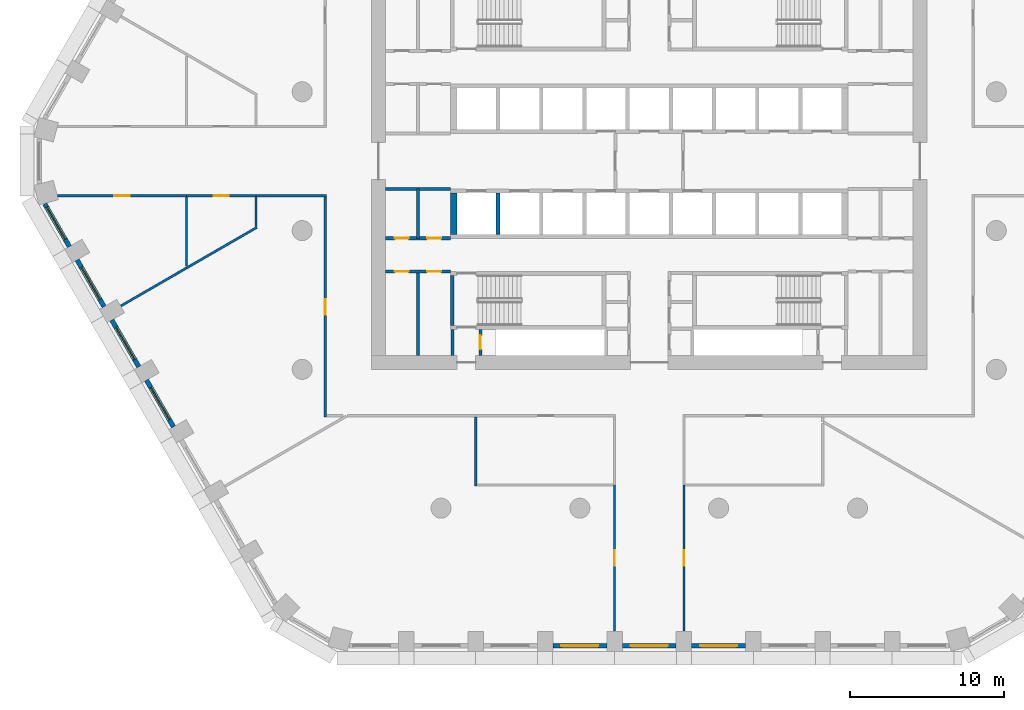
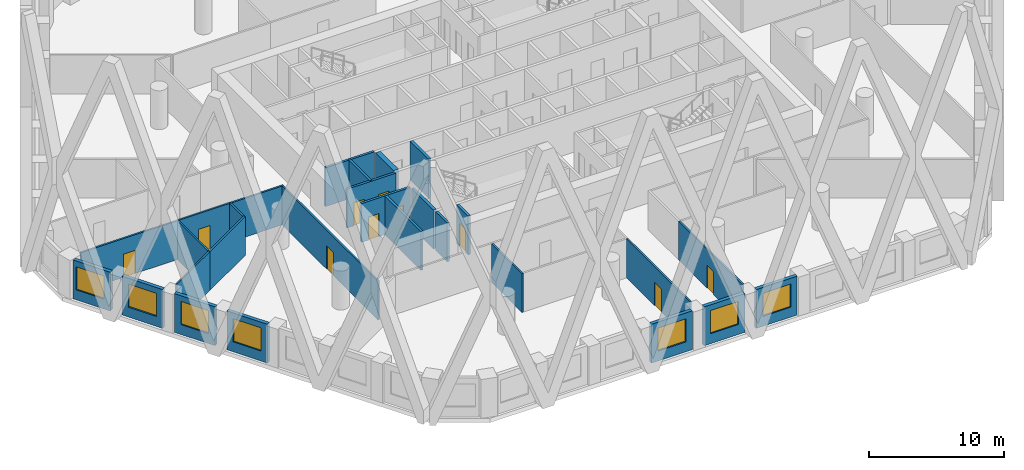
# One storey, part 2 of 18: 28 walls, 10 doors, 7 windows, 17 openings.
"""IFC4 building model written with IfcOpenShell, lengths in metres."""

from ifc_helpers import new_model, si_unit, direction, frame, frame_2d, origin, place, context, subcontext, project, spatial, polyline, rectangle, outline, extrude, material, layer, layer_set, type_object, element, fill, save


model = new_model("IFC4")

# Units and contexts
model_context = context("Model", 3, precision=1e-05, world=origin(), true_north=direction((0.0, 1.0)))
body_context = subcontext(model_context, "Body", "Model", "MODEL_VIEW")
ifc_project = project(units=[si_unit("LENGTHUNIT", "METRE"), si_unit("AREAUNIT", "SQUARE_METRE"), si_unit("VOLUMEUNIT", "CUBIC_METRE"), si_unit("PLANEANGLEUNIT", "RADIAN"), si_unit("MASSUNIT", "GRAM", prefix="KILO")], contexts=[model_context])

# Site, building, storey
site_placement = place(None, origin())
site = spatial("IfcSite", under=ifc_project, at=site_placement, CompositionType="ELEMENT")
building_placement = place(site_placement, origin())
building = spatial("IfcBuilding", under=site, at=building_placement, Name="Dhurran Vertical Campus", CompositionType="ELEMENT")
storey_placement = place(building_placement, frame((0.0, 0.0, 104.699951171875)))
storey = spatial("IfcBuildingStorey", under=building, at=storey_placement, Name="L25", CompositionType="ELEMENT", Elevation=104.699951171875)

# Wall, opening, window
ifc_material_1 = material(Name="Precast concrete C50/60", Category="concrete")
ifc_layer_1 = layer(ifc_material_1, 0.300048828125)
ifc_layer_set_1 = layer_set([ifc_layer_1], Name="Precast concrete C50/60")
wall_type_1 = type_object("IfcWallType", Name="Precast spandrel wall 300", PredefinedType="SOLIDWALL", material=ifc_layer_set_1)
wall_1_placement = place(storey_placement, frame((-6.24951171875, -31.4296875, 0.0), z_axis=(0.0, 0.0, 1.0), x_axis=(1.0, 0.0, 0.0)))
wall_1 = element("IfcWall", 1, at=wall_1_placement, inside=storey, type_object=wall_type_1, Name="EW1 L25.03", PredefinedType="SOLIDWALL", context=body_context, shape_type="SweptSolid", body=[
    extrude(rectangle(XDim=3.4990234375, YDim=0.300048828125, at=frame_2d((1.74951171875, 0.0))), origin(), (0.0, 0.0, 1.0), 3.525146484375),
])
opening_1_placement = place(wall_1_placement, frame((0.549560546875, 0.0, 0.89990234375)))
opening_1 = element("IfcOpeningElement", 2, at=opening_1_placement, cuts=wall_1, Name="Opening WT1", PredefinedType="OPENING", context=body_context, shape_type="SweptSolid", body=[
    extrude(rectangle(XDim=2.39990234375, YDim=2.10009765625, at=frame_2d((1.199951171875, 1.050048828125))), frame((0.0, 0.159912109375, 0.0), z_axis=(0.0, -1.0, 0.0), x_axis=(1.0, 0.0, 0.0)), (0.0, 0.0, 1.0), 0.320068359375),
])
ifc_material_2 = material(Name="Aluminium frame with solar-control glass", Category="aluminium")
window_type = type_object("IfcWindowType", Name="Punched window 2400 x 2100", PartitioningType="SINGLE_PANEL", PredefinedType="WINDOW", material=ifc_material_2)
window_1_placement = place(opening_1_placement, origin())
window_1 = element("IfcWindow", 3, at=window_1_placement, inside=storey, type_object=window_type, Name="WT1 L25.03", OverallHeight=2.10009765625, OverallWidth=2.39990234375, PartitioningType="SINGLE_PANEL", PredefinedType="WINDOW", context=body_context, shape_type="SweptSolid", body=[
    extrude(rectangle(XDim=2.39990234375, YDim=2.10009765625, at=frame_2d((1.199951171875, 1.050048828125))), frame((0.0, 0.030029296875, 0.0), z_axis=(0.0, -1.0, 0.0), x_axis=(1.0, 0.0, 0.0)), (0.0, 0.0, 1.0), 0.06005859375),
])
fill(opening_1, window_1)

wall_2_placement = place(storey_placement, frame((-1.74951171875, -31.4296875, 0.0), z_axis=(0.0, 0.0, 1.0), x_axis=(1.0, 0.0, 0.0)))
wall_2 = element("IfcWall", 4, at=wall_2_placement, inside=storey, type_object=wall_type_1, Name="EW1 L25.04", PredefinedType="SOLIDWALL", context=body_context, shape_type="SweptSolid", body=[
    extrude(rectangle(XDim=3.4990234375, YDim=0.300048828125, at=frame_2d((1.74951171875, 0.0))), origin(), (0.0, 0.0, 1.0), 3.525146484375),
])
opening_2_placement = place(wall_2_placement, frame((0.549560546875, 0.0, 0.89990234375)))
opening_2 = element("IfcOpeningElement", 5, at=opening_2_placement, cuts=wall_2, Name="Opening WT1", PredefinedType="OPENING", context=body_context, shape_type="SweptSolid", body=[
    extrude(rectangle(XDim=2.39990234375, YDim=2.10009765625, at=frame_2d((1.199951171875, 1.050048828125))), frame((0.0, 0.159912109375, 0.0), z_axis=(0.0, -1.0, 0.0), x_axis=(1.0, 0.0, 0.0)), (0.0, 0.0, 1.0), 0.320068359375),
])
window_2_placement = place(opening_2_placement, origin())
window_2 = element("IfcWindow", 6, at=window_2_placement, inside=storey, type_object=window_type, Name="WT1 L25.04", OverallHeight=2.10009765625, OverallWidth=2.39990234375, PartitioningType="SINGLE_PANEL", PredefinedType="WINDOW", context=body_context, shape_type="SweptSolid", body=[
    extrude(rectangle(XDim=2.39990234375, YDim=2.10009765625, at=frame_2d((1.199951171875, 1.050048828125))), frame((0.0, 0.030029296875, 0.0), z_axis=(0.0, -1.0, 0.0), x_axis=(1.0, 0.0, 0.0)), (0.0, 0.0, 1.0), 0.06005859375),
])
fill(opening_2, window_2)

wall_3_placement = place(storey_placement, frame((2.75048828125, -31.4296875, 0.0), z_axis=(0.0, 0.0, 1.0), x_axis=(1.0, 0.0, 0.0)))
wall_3 = element("IfcWall", 7, at=wall_3_placement, inside=storey, type_object=wall_type_1, Name="EW1 L25.05", PredefinedType="SOLIDWALL", context=body_context, shape_type="SweptSolid", body=[
    extrude(rectangle(XDim=3.4990234375, YDim=0.300048828125, at=frame_2d((1.74951171875, 0.0))), origin(), (0.0, 0.0, 1.0), 3.525146484375),
])
opening_3_placement = place(wall_3_placement, frame((0.549560546875, 0.0, 0.89990234375)))
opening_3 = element("IfcOpeningElement", 8, at=opening_3_placement, cuts=wall_3, Name="Opening WT1", PredefinedType="OPENING", context=body_context, shape_type="SweptSolid", body=[
    extrude(rectangle(XDim=2.39990234375, YDim=2.10009765625, at=frame_2d((1.199951171875, 1.050048828125))), frame((0.0, 0.159912109375, 0.0), z_axis=(0.0, -1.0, 0.0), x_axis=(1.0, 0.0, 0.0)), (0.0, 0.0, 1.0), 0.320068359375),
])
window_3_placement = place(opening_3_placement, origin())
window_3 = element("IfcWindow", 9, at=window_3_placement, inside=storey, type_object=window_type, Name="WT1 L25.05", OverallHeight=2.10009765625, OverallWidth=2.39990234375, PartitioningType="SINGLE_PANEL", PredefinedType="WINDOW", context=body_context, shape_type="SweptSolid", body=[
    extrude(rectangle(XDim=2.39990234375, YDim=2.10009765625, at=frame_2d((1.199951171875, 1.050048828125))), frame((0.0, 0.030029296875, 0.0), z_axis=(0.0, -1.0, 0.0), x_axis=(1.0, 0.0, 0.0)), (0.0, 0.0, 1.0), 0.06005859375),
])
fill(opening_3, window_3)

wall_4_placement = place(storey_placement, frame((-39.1904296875, -2.774169921875, 0.0), z_axis=(0.0, 0.0, 1.0), x_axis=(0.500004907028, -0.866022570692, 0.0)))
wall_4 = element("IfcWall", 10, at=wall_4_placement, inside=storey, type_object=wall_type_1, Name="EW1 L25.44", PredefinedType="SOLIDWALL", context=body_context, shape_type="SweptSolid", body=[
    extrude(rectangle(XDim=3.1923828125, YDim=0.300048828125, at=frame_2d((1.59619140625, 0.0))), origin(), (0.0, 0.0, 1.0), 3.525146484375),
])
opening_4_placement = place(wall_4_placement, frame((0.242919921875, 0.0, 0.89990234375)))
opening_4 = element("IfcOpeningElement", 11, at=opening_4_placement, cuts=wall_4, Name="Opening WT1", PredefinedType="OPENING", context=body_context, shape_type="SweptSolid", body=[
    extrude(rectangle(XDim=2.39990234375, YDim=2.10009765625, at=frame_2d((1.199951171875, 1.050048828125))), frame((0.0, 0.159912109375, 0.0), z_axis=(0.0, -1.0, 0.0), x_axis=(1.0, 0.0, 0.0)), (0.0, 0.0, 1.0), 0.320068359375),
])
window_4_placement = place(opening_4_placement, origin())
window_4 = element("IfcWindow", 12, at=window_4_placement, inside=storey, type_object=window_type, Name="WT1 L25.44", OverallHeight=2.10009765625, OverallWidth=2.39990234375, PartitioningType="SINGLE_PANEL", PredefinedType="WINDOW", context=body_context, shape_type="SweptSolid", body=[
    extrude(rectangle(XDim=2.39990234375, YDim=2.10009765625, at=frame_2d((1.199951171875, 1.050048828125))), frame((0.0, 0.030029296875, 0.0), z_axis=(0.0, -1.0, 0.0), x_axis=(1.0, 0.0, 0.0)), (0.0, 0.0, 1.0), 0.06005859375),
])
fill(opening_4, window_4)

wall_5_placement = place(storey_placement, frame((-37.09375, -6.405517578125, 0.0), z_axis=(0.0, 0.0, 1.0), x_axis=(0.499996256241, -0.866027565234, 0.0)))
wall_5 = element("IfcWall", 13, at=wall_5_placement, inside=storey, type_object=wall_type_1, Name="EW1 L25.45", PredefinedType="SOLIDWALL", context=body_context, shape_type="SweptSolid", body=[
    extrude(rectangle(XDim=3.4990234375, YDim=0.300048828125, at=frame_2d((1.74951171875, 0.0))), origin(), (0.0, 0.0, 1.0), 3.525146484375),
])
opening_5_placement = place(wall_5_placement, frame((0.549560546875, 0.0, 0.89990234375)))
opening_5 = element("IfcOpeningElement", 14, at=opening_5_placement, cuts=wall_5, Name="Opening WT1", PredefinedType="OPENING", context=body_context, shape_type="SweptSolid", body=[
    extrude(rectangle(XDim=2.39990234375, YDim=2.10009765625, at=frame_2d((1.199951171875, 1.050048828125))), frame((0.0, 0.159912109375, 0.0), z_axis=(0.0, -1.0, 0.0), x_axis=(1.0, 0.0, 0.0)), (0.0, 0.0, 1.0), 0.320068359375),
])
window_5_placement = place(opening_5_placement, origin())
window_5 = element("IfcWindow", 15, at=window_5_placement, inside=storey, type_object=window_type, Name="WT1 L25.45", OverallHeight=2.10009765625, OverallWidth=2.39990234375, PartitioningType="SINGLE_PANEL", PredefinedType="WINDOW", context=body_context, shape_type="SweptSolid", body=[
    extrude(rectangle(XDim=2.39990234375, YDim=2.10009765625, at=frame_2d((1.199951171875, 1.050048828125))), frame((0.0, 0.030029296875, 0.0), z_axis=(0.0, -1.0, 0.0), x_axis=(1.0, 0.0, 0.0)), (0.0, 0.0, 1.0), 0.06005859375),
])
fill(opening_5, window_5)

wall_6_placement = place(storey_placement, frame((-34.84375, -10.302734375, 0.0), z_axis=(0.0, 0.0, 1.0), x_axis=(0.499996256241, -0.866027565234, 0.0)))
wall_6 = element("IfcWall", 16, at=wall_6_placement, inside=storey, type_object=wall_type_1, Name="EW1 L25.46", PredefinedType="SOLIDWALL", context=body_context, shape_type="SweptSolid", body=[
    extrude(rectangle(XDim=3.4990234375, YDim=0.300048828125, at=frame_2d((1.74951171875, 0.0))), origin(), (0.0, 0.0, 1.0), 3.525146484375),
])
opening_6_placement = place(wall_6_placement, frame((0.549560546875, 0.0, 0.89990234375)))
opening_6 = element("IfcOpeningElement", 17, at=opening_6_placement, cuts=wall_6, Name="Opening WT1", PredefinedType="OPENING", context=body_context, shape_type="SweptSolid", body=[
    extrude(rectangle(XDim=2.39990234375, YDim=2.10009765625, at=frame_2d((1.199951171875, 1.050048828125))), frame((0.0, 0.159912109375, 0.0), z_axis=(0.0, -1.0, 0.0), x_axis=(1.0, 0.0, 0.0)), (0.0, 0.0, 1.0), 0.320068359375),
])
window_6_placement = place(opening_6_placement, origin())
window_6 = element("IfcWindow", 18, at=window_6_placement, inside=storey, type_object=window_type, Name="WT1 L25.46", OverallHeight=2.10009765625, OverallWidth=2.39990234375, PartitioningType="SINGLE_PANEL", PredefinedType="WINDOW", context=body_context, shape_type="SweptSolid", body=[
    extrude(rectangle(XDim=2.39990234375, YDim=2.10009765625, at=frame_2d((1.199951171875, 1.050048828125))), frame((0.0, 0.030029296875, 0.0), z_axis=(0.0, -1.0, 0.0), x_axis=(1.0, 0.0, 0.0)), (0.0, 0.0, 1.0), 0.06005859375),
])
fill(opening_6, window_6)

wall_7_placement = place(storey_placement, frame((-32.59375, -14.19970703125, 0.0), z_axis=(0.0, 0.0, 1.0), x_axis=(0.499996256241, -0.866027565234, 0.0)))
wall_7 = element("IfcWall", 19, at=wall_7_placement, inside=storey, type_object=wall_type_1, Name="EW1 L25.47", PredefinedType="SOLIDWALL", context=body_context, shape_type="SweptSolid", body=[
    extrude(rectangle(XDim=3.4990234375, YDim=0.300048828125, at=frame_2d((1.74951171875, 0.0))), origin(), (0.0, 0.0, 1.0), 3.525146484375),
])
opening_7_placement = place(wall_7_placement, frame((0.549560546875, 0.0, 0.89990234375)))
opening_7 = element("IfcOpeningElement", 20, at=opening_7_placement, cuts=wall_7, Name="Opening WT1", PredefinedType="OPENING", context=body_context, shape_type="SweptSolid", body=[
    extrude(rectangle(XDim=2.39990234375, YDim=2.10009765625, at=frame_2d((1.199951171875, 1.050048828125))), frame((0.0, 0.159912109375, 0.0), z_axis=(0.0, -1.0, 0.0), x_axis=(1.0, 0.0, 0.0)), (0.0, 0.0, 1.0), 0.320068359375),
])
window_7_placement = place(opening_7_placement, origin())
window_7 = element("IfcWindow", 21, at=window_7_placement, inside=storey, type_object=window_type, Name="WT1 L25.47", OverallHeight=2.10009765625, OverallWidth=2.39990234375, PartitioningType="SINGLE_PANEL", PredefinedType="WINDOW", context=body_context, shape_type="SweptSolid", body=[
    extrude(rectangle(XDim=2.39990234375, YDim=2.10009765625, at=frame_2d((1.199951171875, 1.050048828125))), frame((0.0, 0.030029296875, 0.0), z_axis=(0.0, -1.0, 0.0), x_axis=(1.0, 0.0, 0.0)), (0.0, 0.0, 1.0), 0.06005859375),
])
fill(opening_7, window_7)

# Wall
ifc_material_3 = material(Name="Fire-rated masonry blockwork", Category="masonry")
ifc_layer_2 = layer(ifc_material_3, 0.199951171875)
ifc_layer_set_2 = layer_set([ifc_layer_2], Name="Fire-rated masonry blockwork")
wall_type_2 = type_object("IfcWallType", Name="co-FIRE-PARTITION-200", PredefinedType="PARTITIONING", material=ifc_layer_set_2)
wall_8_placement = place(storey_placement, frame((-12.75, -12.60009765625, 0.0), z_axis=(0.0, 0.0, 1.0), x_axis=(0.0, 1.0, 0.0)))
element("IfcWall", 22, at=wall_8_placement, inside=storey, type_object=wall_type_2, Name="Core partition pass-ST3-o L25", PredefinedType="PARTITIONING", context=body_context, shape_type="SweptSolid", body=[
    extrude(rectangle(XDim=1.7001953125, YDim=0.199951171875, at=frame_2d((0.85009765625, 0.0))), origin(), (0.0, 0.0, 1.0), 3.525146484375),
])

# Wall, opening, door
wall_9_placement = place(storey_placement, frame((-10.949951171875, -12.60009765625, 0.0), z_axis=(0.0, 0.0, 1.0), x_axis=(0.0, 1.0, 0.0)))
wall_9 = element("IfcWall", 23, at=wall_9_placement, inside=storey, type_object=wall_type_2, Name="Core partition pass-ST3-i L25", PredefinedType="PARTITIONING", context=body_context, shape_type="SweptSolid", body=[
    extrude(rectangle(XDim=1.7001953125, YDim=0.199951171875, at=frame_2d((0.85009765625, 0.0))), origin(), (0.0, 0.0, 1.0), 3.525146484375),
])
opening_8_placement = place(wall_9_placement, frame((0.39990234375, 0.0, 0.0)))
opening_8 = element("IfcOpeningElement", 24, at=opening_8_placement, cuts=wall_9, Name="Opening T07-C15", PredefinedType="OPENING", context=body_context, shape_type="SweptSolid", body=[
    extrude(rectangle(XDim=0.89990234375, YDim=2.10009765625, at=frame_2d((0.449951171875, 1.050048828125))), frame((0.0, 0.10986328125, 0.0), z_axis=(0.0, -1.0, 0.0), x_axis=(1.0, 0.0, 0.0)), (0.0, 0.0, 1.0), 0.219970703125),
])
ifc_material_4 = material(Name="Fire-rated timber door set", Category="wood")
door_type_1 = type_object("IfcDoorType", Name="co-D-ROOM 900x2100", OperationType="SINGLE_SWING_LEFT", PredefinedType="DOOR", material=ifc_material_4)
door_1_placement = place(opening_8_placement, origin())
door_1 = element("IfcDoor", 25, at=door_1_placement, inside=storey, type_object=door_type_1, Name="Riser room door L25", OperationType="SINGLE_SWING_LEFT", OverallHeight=2.10009765625, OverallWidth=0.89990234375, PredefinedType="DOOR", context=body_context, shape_type="SweptSolid", body=[
    extrude(rectangle(XDim=0.89990234375, YDim=2.10009765625, at=frame_2d((0.449951171875, 1.050048828125))), frame((0.0, 0.02490234375, 0.0), z_axis=(0.0, -1.0, 0.0), x_axis=(1.0, 0.0, 0.0)), (0.0, 0.0, 1.0), 0.050048828125),
])
fill(opening_8, door_1)

# Wall
wall_10_placement = place(storey_placement, frame((-15.0, -12.60009765625, 0.0), z_axis=(0.0, 0.0, 1.0), x_axis=(0.0, 1.0, 0.0)))
element("IfcWall", 26, at=wall_10_placement, inside=storey, type_object=wall_type_2, Name="Core partition en-SW-cut0 L25", PredefinedType="PARTITIONING", context=body_context, shape_type="SweptSolid", body=[
    extrude(rectangle(XDim=5.4501953125, YDim=0.199951171875, at=frame_2d((2.72509765625, 0.0))), origin(), (0.0, 0.0, 1.0), 3.525146484375),
])

# Wall, openings, doors
wall_11_placement = place(storey_placement, frame((-17.10009765625, -7.14990234375, 0.0), z_axis=(0.0, 0.0, 1.0), x_axis=(1.0, 0.0, 0.0)))
wall_11 = element("IfcWall", 27, at=wall_11_placement, inside=storey, type_object=wall_type_2, Name="Core partition en-SW-w L25", PredefinedType="PARTITIONING", context=body_context, shape_type="SweptSolid", body=[
    extrude(rectangle(XDim=4.2001953125, YDim=0.199951171875, at=frame_2d((2.10009765625, 0.0))), origin(), (0.0, 0.0, 1.0), 3.525146484375),
])
opening_9_placement = place(wall_11_placement, frame((0.60009765625, 0.0, 0.0)))
opening_9 = element("IfcOpeningElement", 28, at=opening_9_placement, cuts=wall_11, Name="Opening T07-C24", PredefinedType="OPENING", context=body_context, shape_type="SweptSolid", body=[
    extrude(rectangle(XDim=0.89990234375, YDim=2.10009765625, at=frame_2d((0.449951171875, 1.050048828125))), frame((0.0, 0.10986328125, 0.0), z_axis=(0.0, -1.0, 0.0), x_axis=(1.0, 0.0, 0.0)), (0.0, 0.0, 1.0), 0.219970703125),
])
opening_10_placement = place(wall_11_placement, frame((2.699951171875, 0.0, 0.0)))
opening_10 = element("IfcOpeningElement", 29, at=opening_10_placement, cuts=wall_11, Name="Opening T07-C25", PredefinedType="OPENING", context=body_context, shape_type="SweptSolid", body=[
    extrude(rectangle(XDim=0.89990234375, YDim=2.10009765625, at=frame_2d((0.449951171875, 1.050048828125))), frame((0.0, 0.10986328125, 0.0), z_axis=(0.0, -1.0, 0.0), x_axis=(1.0, 0.0, 0.0)), (0.0, 0.0, 1.0), 0.219970703125),
])
door_2_placement = place(opening_9_placement, origin())
door_2 = element("IfcDoor", 30, at=door_2_placement, inside=storey, type_object=door_type_1, Name="Water riser door L25", OperationType="SINGLE_SWING_LEFT", OverallHeight=2.10009765625, OverallWidth=0.89990234375, PredefinedType="DOOR", context=body_context, shape_type="SweptSolid", body=[
    extrude(rectangle(XDim=0.89990234375, YDim=2.10009765625, at=frame_2d((0.449951171875, 1.050048828125))), frame((0.0, 0.02490234375, 0.0), z_axis=(0.0, -1.0, 0.0), x_axis=(1.0, 0.0, 0.0)), (0.0, 0.0, 1.0), 0.050048828125),
])
fill(opening_9, door_2)
door_3_placement = place(opening_10_placement, origin())
door_3 = element("IfcDoor", 31, at=door_3_placement, inside=storey, type_object=door_type_1, Name="Fire equipment store door L25", OperationType="SINGLE_SWING_LEFT", OverallHeight=2.10009765625, OverallWidth=0.89990234375, PredefinedType="DOOR", context=body_context, shape_type="SweptSolid", body=[
    extrude(rectangle(XDim=0.89990234375, YDim=2.10009765625, at=frame_2d((0.449951171875, 1.050048828125))), frame((0.0, 0.02490234375, 0.0), z_axis=(0.0, -1.0, 0.0), x_axis=(1.0, 0.0, 0.0)), (0.0, 0.0, 1.0), 0.050048828125),
])
fill(opening_10, door_3)

# Wall
wall_12_placement = place(storey_placement, frame((-15.0, -5.0, 0.0), z_axis=(0.0, 0.0, 1.0), x_axis=(0.0, 1.0, 0.0)))
element("IfcWall", 32, at=wall_12_placement, inside=storey, type_object=wall_type_2, Name="Core partition es-SW-cut0 L25", PredefinedType="PARTITIONING", context=body_context, shape_type="SweptSolid", body=[
    extrude(rectangle(XDim=3.199951171875, YDim=0.199951171875, at=frame_2d((1.60009765625, 0.0))), origin(), (0.0, 0.0, 1.0), 3.525146484375),
])

# Wall, openings, doors
wall_13_placement = place(storey_placement, frame((-17.10009765625, -5.0, 0.0), z_axis=(0.0, 0.0, 1.0), x_axis=(1.0, 0.0, 0.0)))
wall_13 = element("IfcWall", 33, at=wall_13_placement, inside=storey, type_object=wall_type_2, Name="Core partition es-SW-w L25", PredefinedType="PARTITIONING", context=body_context, shape_type="SweptSolid", body=[
    extrude(rectangle(XDim=4.2001953125, YDim=0.199951171875, at=frame_2d((2.10009765625, 0.0))), origin(), (0.0, 0.0, 1.0), 3.525146484375),
])
opening_11_placement = place(wall_13_placement, frame((0.60009765625, 0.0, 0.0)))
opening_11 = element("IfcOpeningElement", 34, at=opening_11_placement, cuts=wall_13, Name="Opening T07-C26", PredefinedType="OPENING", context=body_context, shape_type="SweptSolid", body=[
    extrude(rectangle(XDim=0.89990234375, YDim=2.10009765625, at=frame_2d((0.449951171875, 1.050048828125))), frame((0.0, 0.10986328125, 0.0), z_axis=(0.0, -1.0, 0.0), x_axis=(1.0, 0.0, 0.0)), (0.0, 0.0, 1.0), 0.219970703125),
])
opening_12_placement = place(wall_13_placement, frame((2.699951171875, 0.0, 0.0)))
opening_12 = element("IfcOpeningElement", 35, at=opening_12_placement, cuts=wall_13, Name="Opening T07-C27", PredefinedType="OPENING", context=body_context, shape_type="SweptSolid", body=[
    extrude(rectangle(XDim=0.89990234375, YDim=2.10009765625, at=frame_2d((0.449951171875, 1.050048828125))), frame((0.0, 0.10986328125, 0.0), z_axis=(0.0, -1.0, 0.0), x_axis=(1.0, 0.0, 0.0)), (0.0, 0.0, 1.0), 0.219970703125),
])
door_4_placement = place(opening_11_placement, origin())
door_4 = element("IfcDoor", 36, at=door_4_placement, inside=storey, type_object=door_type_1, Name="Print room door L25", OperationType="SINGLE_SWING_LEFT", OverallHeight=2.10009765625, OverallWidth=0.89990234375, PredefinedType="DOOR", context=body_context, shape_type="SweptSolid", body=[
    extrude(rectangle(XDim=0.89990234375, YDim=2.10009765625, at=frame_2d((0.449951171875, 1.050048828125))), frame((0.0, 0.02490234375, 0.0), z_axis=(0.0, -1.0, 0.0), x_axis=(1.0, 0.0, 0.0)), (0.0, 0.0, 1.0), 0.050048828125),
])
fill(opening_11, door_4)
door_5_placement = place(opening_12_placement, origin())
door_5 = element("IfcDoor", 37, at=door_5_placement, inside=storey, type_object=door_type_1, Name="Housekeeping store door L25", OperationType="SINGLE_SWING_LEFT", OverallHeight=2.10009765625, OverallWidth=0.89990234375, PredefinedType="DOOR", context=body_context, shape_type="SweptSolid", body=[
    extrude(rectangle(XDim=0.89990234375, YDim=2.10009765625, at=frame_2d((0.449951171875, 1.050048828125))), frame((0.0, 0.02490234375, 0.0), z_axis=(0.0, -1.0, 0.0), x_axis=(1.0, 0.0, 0.0)), (0.0, 0.0, 1.0), 0.050048828125),
])
fill(opening_12, door_5)

# Walls
wall_14_placement = place(storey_placement, frame((-17.10009765625, -1.800048828125, 0.0), z_axis=(0.0, 0.0, 1.0), x_axis=(1.0, 0.0, 0.0)))
element("IfcWall", 38, at=wall_14_placement, inside=storey, type_object=wall_type_2, Name="Core partition es-SW-l L25", PredefinedType="PARTITIONING", context=body_context, shape_type="SweptSolid", body=[
    extrude(rectangle(XDim=4.2001953125, YDim=0.199951171875, at=frame_2d((2.10009765625, 0.0))), origin(), (0.0, 0.0, 1.0), 3.525146484375),
])
ifc_material_5 = material(Name="Concrete C50/60", Category="concrete")
ifc_layer_3 = layer(ifc_material_5, 0.25)
ifc_layer_set_3 = layer_set([ifc_layer_3], Name="Concrete C50/60")
wall_type_3 = type_object("IfcWallType", Name="co-SHAFT-MASS-250", PredefinedType="SHEAR", material=ifc_layer_set_3)
wall_15_placement = place(storey_placement, origin())
element("IfcWall", 39, at=wall_15_placement, inside=storey, type_object=wall_type_3, Name="Lift shaft wall S L25 2", PredefinedType="SHEAR", context=body_context, shape_type="SweptSolid", body=[
    extrude(outline(polyline([(-12.89990234375, -4.75), (-12.47509765625, -4.75), (-12.47509765625, -2.050048828125), (-12.89990234375, -2.050048828125), (-12.89990234375, -4.75)])), origin(), (0.0, 0.0, 1.0), 3.525146484375),
])
wall_16_placement = place(storey_placement, origin())
element("IfcWall", 40, at=wall_16_placement, inside=storey, type_object=wall_type_3, Name="Lift shaft wall S L25 3", PredefinedType="SHEAR", context=body_context, shape_type="SweptSolid", body=[
    extrude(outline(polyline([(-9.925048828125, -4.75), (-9.675048828125, -4.75), (-9.675048828125, -2.050048828125), (-9.925048828125, -2.050048828125), (-9.925048828125, -4.75)])), origin(), (0.0, 0.0, 1.0), 3.525146484375),
])
ifc_material_6 = material(Name="Concrete C40/50", Category="concrete")
ifc_layer_4 = layer(ifc_material_6, 0.25)
ifc_layer_set_4 = layer_set([ifc_layer_4], Name="Concrete C40/50")
wall_type_4 = type_object("IfcWallType", Name="co-STAIR-WALL-250", PredefinedType="SHEAR", material=ifc_layer_set_4)
wall_17_placement = place(storey_placement, frame((-12.77490234375, -10.64990234375, 0.0), z_axis=(0.0, 0.0, 1.0), x_axis=(0.0, 1.0, 0.0)))
element("IfcWall", 41, at=wall_17_placement, inside=storey, type_object=wall_type_4, Name="Stair ST3 enclosure wall L25", PredefinedType="SHEAR", context=body_context, shape_type="SweptSolid", body=[
    extrude(rectangle(XDim=3.25, YDim=0.25, at=frame_2d((1.625, 0.0))), origin(), (0.0, 0.0, 1.0), 3.525146484375),
])

# Wall, opening, door
ifc_material_7 = material(Name="Gypsum board corridor wall on steel studs", Category="steel")
ifc_layer_5 = layer(ifc_material_7, 0.14990234375)
ifc_layer_set_5 = layer_set([ifc_layer_5], Name="Gypsum board corridor wall on steel studs")
wall_type_5 = type_object("IfcWallType", Name="fl-CW-150 corridor wall", PredefinedType="PARTITIONING", material=ifc_layer_set_5)
wall_18_placement = place(storey_placement, frame((-30.0, -2.25, 0.0), z_axis=(0.0, 0.0, 1.0), x_axis=(-1.0, 0.0, 0.0)))
wall_18 = element("IfcWall", 42, at=wall_18_placement, inside=storey, type_object=wall_type_5, Name="Partition 25-01", PredefinedType="PARTITIONING", context=body_context, shape_type="SweptSolid", body=[
    extrude(rectangle(XDim=8.35009765625, YDim=0.14990234375, at=frame_2d((4.175048828125, 0.0))), origin(), (0.0, 0.0, 1.0), 3.525146484375),
])
opening_13_placement = place(wall_18_placement, frame((3.675048828125, 0.0, 0.0)))
opening_13 = element("IfcOpeningElement", 43, at=opening_13_placement, cuts=wall_18, Name="Opening T07.01", PredefinedType="OPENING", context=body_context, shape_type="SweptSolid", body=[
    extrude(rectangle(XDim=1.0, YDim=2.10009765625, at=frame_2d((0.5, 1.050048828125))), frame((0.0, 0.0849609375, 0.0), z_axis=(0.0, -1.0, 0.0), x_axis=(1.0, 0.0, 0.0)), (0.0, 0.0, 1.0), 0.169921875),
])
ifc_material_8 = material(Name="Solid-core timber door set, fire-rated", Category="wood")
door_type_2 = type_object("IfcDoorType", Name="fl-D-1000x2100", OperationType="SINGLE_SWING_LEFT", PredefinedType="DOOR", material=ifc_material_8)
door_6_placement = place(opening_13_placement, origin())
door_6 = element("IfcDoor", 44, at=door_6_placement, inside=storey, type_object=door_type_2, Name="Door 25.01", OperationType="SINGLE_SWING_RIGHT", OverallHeight=2.10009765625, OverallWidth=1.0, PredefinedType="DOOR", context=body_context, shape_type="SweptSolid", body=[
    extrude(rectangle(XDim=1.0, YDim=2.10009765625, at=frame_2d((0.5, 1.050048828125))), frame((0.0, 0.02490234375, 0.0), z_axis=(0.0, -1.0, 0.0), x_axis=(1.0, 0.0, 0.0)), (0.0, 0.0, 1.0), 0.050048828125),
])
fill(opening_13, door_6)

wall_19_placement = place(storey_placement, frame((-25.5, -2.25, 0.0), z_axis=(0.0, 0.0, 1.0), x_axis=(-1.0, 0.0, 0.0)))
wall_19 = element("IfcWall", 45, at=wall_19_placement, inside=storey, type_object=wall_type_5, Name="Partition 25-07", PredefinedType="PARTITIONING", context=body_context, shape_type="SweptSolid", body=[
    extrude(rectangle(XDim=4.5, YDim=0.14990234375, at=frame_2d((2.25, 0.0))), origin(), (0.0, 0.0, 1.0), 3.525146484375),
])
opening_14_placement = place(wall_19_placement, frame((1.75, 0.0, 0.0)))
opening_14 = element("IfcOpeningElement", 46, at=opening_14_placement, cuts=wall_19, Name="Opening T07.03", PredefinedType="OPENING", context=body_context, shape_type="SweptSolid", body=[
    extrude(rectangle(XDim=1.0, YDim=2.10009765625, at=frame_2d((0.5, 1.050048828125))), frame((0.0, 0.0849609375, 0.0), z_axis=(0.0, -1.0, 0.0), x_axis=(1.0, 0.0, 0.0)), (0.0, 0.0, 1.0), 0.169921875),
])
door_7_placement = place(opening_14_placement, origin())
door_7 = element("IfcDoor", 47, at=door_7_placement, inside=storey, type_object=door_type_2, Name="Door 25.03", OperationType="SINGLE_SWING_RIGHT", OverallHeight=2.10009765625, OverallWidth=1.0, PredefinedType="DOOR", context=body_context, shape_type="SweptSolid", body=[
    extrude(rectangle(XDim=1.0, YDim=2.10009765625, at=frame_2d((0.5, 1.050048828125))), frame((0.0, 0.02490234375, 0.0), z_axis=(0.0, -1.0, 0.0), x_axis=(1.0, 0.0, 0.0)), (0.0, 0.0, 1.0), 0.050048828125),
])
fill(opening_14, door_7)

# Wall
wall_20_placement = place(storey_placement, frame((-20.925048828125, -2.25, 0.0), z_axis=(0.0, 0.0, 1.0), x_axis=(-1.0, 0.0, 0.0)))
element("IfcWall", 48, at=wall_20_placement, inside=storey, type_object=wall_type_5, Name="Partition 25-14", PredefinedType="PARTITIONING", context=body_context, shape_type="SweptSolid", body=[
    extrude(rectangle(XDim=4.574951171875, YDim=0.14990234375, at=frame_2d((2.28759765625, 0.0))), origin(), (0.0, 0.0, 1.0), 3.525146484375),
])

# Wall, opening, door
wall_21_placement = place(storey_placement, frame((-21.0, -2.324951171875, 0.0), z_axis=(0.0, 0.0, 1.0), x_axis=(0.0, -1.0, 0.0)))
wall_21 = element("IfcWall", 49, at=wall_21_placement, inside=storey, type_object=wall_type_5, Name="Partition 25-17", PredefinedType="PARTITIONING", context=body_context, shape_type="SweptSolid", body=[
    extrude(rectangle(XDim=14.25, YDim=0.14990234375, at=frame_2d((7.125, 0.0))), origin(), (0.0, 0.0, 1.0), 3.525146484375),
])
opening_15_placement = place(wall_21_placement, frame((6.625, 0.0, 0.0)))
opening_15 = element("IfcOpeningElement", 50, at=opening_15_placement, cuts=wall_21, Name="Opening T07.05", PredefinedType="OPENING", context=body_context, shape_type="SweptSolid", body=[
    extrude(rectangle(XDim=1.0, YDim=2.10009765625, at=frame_2d((0.5, 1.050048828125))), frame((0.0, 0.0849609375, 0.0), z_axis=(0.0, -1.0, 0.0), x_axis=(1.0, 0.0, 0.0)), (0.0, 0.0, 1.0), 0.169921875),
])
door_8_placement = place(opening_15_placement, origin())
door_8 = element("IfcDoor", 51, at=door_8_placement, inside=storey, type_object=door_type_2, Name="Door 25.05", OperationType="SINGLE_SWING_RIGHT", OverallHeight=2.10009765625, OverallWidth=1.0, PredefinedType="DOOR", context=body_context, shape_type="SweptSolid", body=[
    extrude(rectangle(XDim=1.0, YDim=2.10009765625, at=frame_2d((0.5, 1.050048828125))), frame((0.0, 0.02490234375, 0.0), z_axis=(0.0, -1.0, 0.0), x_axis=(1.0, 0.0, 0.0)), (0.0, 0.0, 1.0), 0.050048828125),
])
fill(opening_15, door_8)

wall_22_placement = place(storey_placement, frame((-2.25, -30.459716796875, 0.0), z_axis=(0.0, 0.0, 1.0), x_axis=(0.0, 1.0, 0.0)))
wall_22 = element("IfcWall", 52, at=wall_22_placement, inside=storey, type_object=wall_type_5, Name="Partition 25-29", PredefinedType="PARTITIONING", context=body_context, shape_type="SweptSolid", body=[
    extrude(rectangle(XDim=9.459716796875, YDim=0.14990234375, at=frame_2d((4.72998046875, 0.0))), origin(), (0.0, 0.0, 1.0), 3.525146484375),
])
opening_16_placement = place(wall_22_placement, frame((4.22998046875, 0.0, 0.0)))
opening_16 = element("IfcOpeningElement", 53, at=opening_16_placement, cuts=wall_22, Name="Opening T07.07", PredefinedType="OPENING", context=body_context, shape_type="SweptSolid", body=[
    extrude(rectangle(XDim=1.0, YDim=2.10009765625, at=frame_2d((0.5, 1.050048828125))), frame((0.0, 0.0849609375, 0.0), z_axis=(0.0, -1.0, 0.0), x_axis=(1.0, 0.0, 0.0)), (0.0, 0.0, 1.0), 0.169921875),
])
door_9_placement = place(opening_16_placement, origin())
door_9 = element("IfcDoor", 54, at=door_9_placement, inside=storey, type_object=door_type_2, Name="Door 25.07", OperationType="SINGLE_SWING_LEFT", OverallHeight=2.10009765625, OverallWidth=1.0, PredefinedType="DOOR", context=body_context, shape_type="SweptSolid", body=[
    extrude(rectangle(XDim=1.0, YDim=2.10009765625, at=frame_2d((0.5, 1.050048828125))), frame((0.0, 0.02490234375, 0.0), z_axis=(0.0, -1.0, 0.0), x_axis=(1.0, 0.0, 0.0)), (0.0, 0.0, 1.0), 0.050048828125),
])
fill(opening_16, door_9)

wall_23_placement = place(storey_placement, frame((2.25, -21.0, 0.0), z_axis=(0.0, 0.0, 1.0), x_axis=(0.0, -1.0, 0.0)))
wall_23 = element("IfcWall", 55, at=wall_23_placement, inside=storey, type_object=wall_type_5, Name="Partition 25-33", PredefinedType="PARTITIONING", context=body_context, shape_type="SweptSolid", body=[
    extrude(rectangle(XDim=9.459716796875, YDim=0.14990234375, at=frame_2d((4.72998046875, 0.0))), origin(), (0.0, 0.0, 1.0), 3.525146484375),
])
opening_17_placement = place(wall_23_placement, frame((4.22998046875, 0.0, 0.0)))
opening_17 = element("IfcOpeningElement", 56, at=opening_17_placement, cuts=wall_23, Name="Opening T07.14", PredefinedType="OPENING", context=body_context, shape_type="SweptSolid", body=[
    extrude(rectangle(XDim=1.0, YDim=2.10009765625, at=frame_2d((0.5, 1.050048828125))), frame((0.0, 0.0849609375, 0.0), z_axis=(0.0, -1.0, 0.0), x_axis=(1.0, 0.0, 0.0)), (0.0, 0.0, 1.0), 0.169921875),
])
door_10_placement = place(opening_17_placement, origin())
door_10 = element("IfcDoor", 57, at=door_10_placement, inside=storey, type_object=door_type_2, Name="Door 25.14", OperationType="SINGLE_SWING_LEFT", OverallHeight=2.10009765625, OverallWidth=1.0, PredefinedType="DOOR", context=body_context, shape_type="SweptSolid", body=[
    extrude(rectangle(XDim=1.0, YDim=2.10009765625, at=frame_2d((0.5, 1.050048828125))), frame((0.0, 0.02490234375, 0.0), z_axis=(0.0, -1.0, 0.0), x_axis=(1.0, 0.0, 0.0)), (0.0, 0.0, 1.0), 0.050048828125),
])
fill(opening_17, door_10)

# Walls
ifc_material_9 = material(Name="Gypsum board partition on steel studs", Category="steel")
ifc_layer_6 = layer(ifc_material_9, 0.14990234375)
ifc_layer_set_6 = layer_set([ifc_layer_6], Name="Gypsum board partition on steel studs")
wall_type_6 = type_object("IfcWallType", Name="fl-PW-150 fixed partition", PredefinedType="PARTITIONING", material=ifc_layer_set_6)
wall_24_placement = place(storey_placement, frame((-30.0, -6.927978515625, 0.0), z_axis=(0.0, 0.0, 1.0), x_axis=(-0.865998524286, -0.500046553767, 0.0)))
element("IfcWall", 58, at=wall_24_placement, inside=storey, type_object=wall_type_6, Name="Partition 25-03", PredefinedType="PARTITIONING", context=body_context, shape_type="SweptSolid", body=[
    extrude(rectangle(XDim=4.912109375, YDim=0.14990234375, at=frame_2d((2.4560546875, 0.0))), origin(), (0.0, 0.0, 1.0), 3.525146484375),
])
wall_25_placement = place(storey_placement, frame((-30.0, -2.324951171875, 0.0), z_axis=(0.0, 0.0, 1.0), x_axis=(0.0, -1.0, 0.0)))
element("IfcWall", 59, at=wall_25_placement, inside=storey, type_object=wall_type_6, Name="Partition 25-05", PredefinedType="PARTITIONING", context=body_context, shape_type="SweptSolid", body=[
    extrude(rectangle(XDim=4.47314453125, YDim=0.14990234375, at=frame_2d((2.236572265625, 0.0))), origin(), (0.0, 0.0, 1.0), 3.525146484375),
])
wall_26_placement = place(storey_placement, frame((-25.43505859375, -4.29248046875, 0.0), z_axis=(0.0, 0.0, 1.0), x_axis=(-0.866031326857, -0.499989740797, 0.0)))
element("IfcWall", 60, at=wall_26_placement, inside=storey, type_object=wall_type_6, Name="Partition 25-06", PredefinedType="PARTITIONING", context=body_context, shape_type="SweptSolid", body=[
    extrude(rectangle(XDim=5.27099609375, YDim=0.14990234375, at=frame_2d((2.635498046875, 0.0))), origin(), (0.0, 0.0, 1.0), 3.525146484375),
])
wall_27_placement = place(storey_placement, frame((-25.5, -2.324951171875, 0.0), z_axis=(0.0, 0.0, 1.0), x_axis=(0.0, -1.0, 0.0)))
element("IfcWall", 61, at=wall_27_placement, inside=storey, type_object=wall_type_6, Name="Partition 25-13", PredefinedType="PARTITIONING", context=body_context, shape_type="SweptSolid", body=[
    extrude(rectangle(XDim=1.905029296875, YDim=0.14990234375, at=frame_2d((0.95263671875, 0.0))), origin(), (0.0, 0.0, 1.0), 3.525146484375),
])
wall_28_placement = place(storey_placement, frame((-11.25, -16.574951171875, 0.0), z_axis=(0.0, 0.0, 1.0), x_axis=(0.0, -1.0, 0.0)))
element("IfcWall", 62, at=wall_28_placement, inside=storey, type_object=wall_type_6, Name="Partition 25-23", PredefinedType="PARTITIONING", context=body_context, shape_type="SweptSolid", body=[
    extrude(rectangle(XDim=4.5, YDim=0.14990234375, at=frame_2d((2.25, 0.0))), origin(), (0.0, 0.0, 1.0), 3.525146484375),
])

save(model, "model.ifc")
